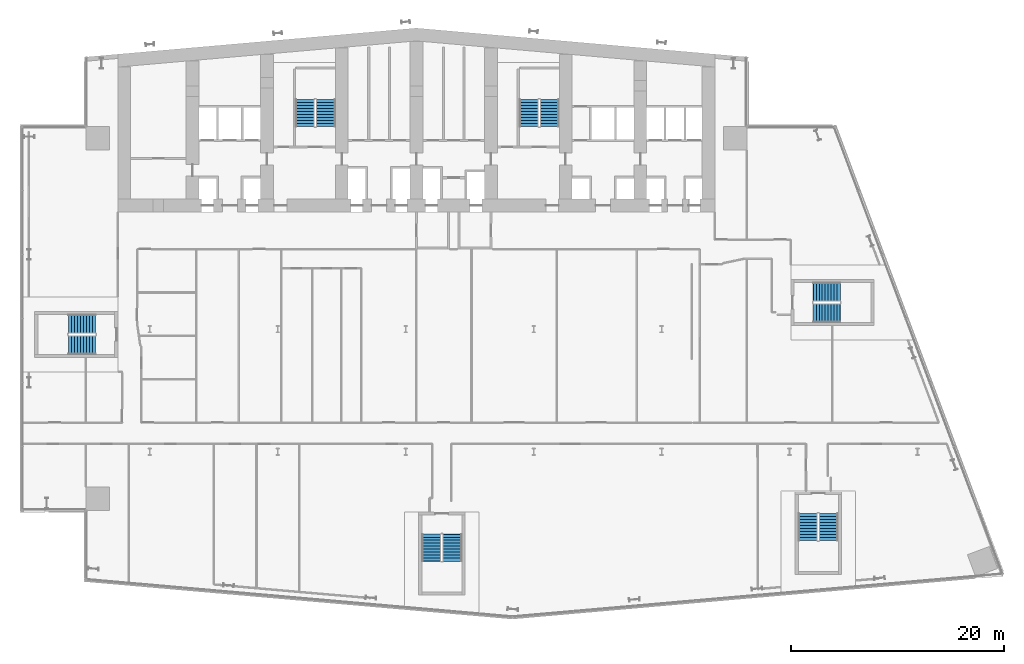
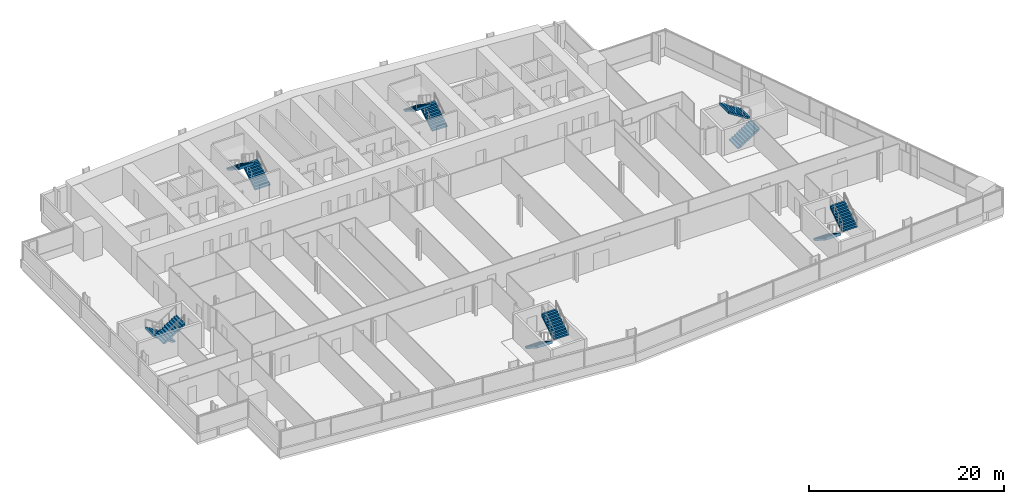
# One storey, part 20 of 24: 12 stair flights, 6 elements without a shape of their own.
"""IFC4 building model written with IfcOpenShell, lengths in metres."""

from ifc_helpers import new_model, si_unit, direction, frame, origin, place, context, subcontext, project, spatial, polyline, outline, extrude, material, type_object, element, aggregate, save


model = new_model("IFC4")

# Units and contexts
model_context = context("Model", 3, precision=1e-05, world=origin(), true_north=direction((0.0, 1.0)))
body_context = subcontext(model_context, "Body", "Model", "MODEL_VIEW")
ifc_project = project(units=[si_unit("LENGTHUNIT", "METRE"), si_unit("AREAUNIT", "SQUARE_METRE"), si_unit("VOLUMEUNIT", "CUBIC_METRE"), si_unit("PLANEANGLEUNIT", "RADIAN"), si_unit("MASSUNIT", "GRAM", prefix="KILO")], contexts=[model_context])

# Site, building, storey
site_placement = place(None, origin())
site = spatial("IfcSite", under=ifc_project, at=site_placement, CompositionType="ELEMENT")
building_placement = place(site_placement, origin())
building = spatial("IfcBuilding", under=site, at=building_placement, Name="Wharfspan Tower", CompositionType="ELEMENT")
storey_placement = place(building_placement, frame((0.0, 0.0, 41.5)))
storey = spatial("IfcBuildingStorey", under=building, at=storey_placement, Name="L06", CompositionType="ELEMENT", Elevation=41.5)

# Stair, stair flights
ifc_material = material(Name="Concrete C40/50", Category="concrete")
stair_type = type_object("IfcStairType", Name="Half-turn stair 20 risers 180 mm", PredefinedType="HALF_TURN_STAIR", material=ifc_material)
stair_1_placement = place(storey_placement, origin())
stair_1 = element("IfcStair", 1, at=stair_1_placement, inside=storey, type_object=stair_type, Name="L06 stair ST1", PredefinedType="HALF_TURN_STAIR")
stair_flight_type = type_object("IfcStairFlightType", Name="Stair flight 20 risers 180 mm", PredefinedType="STRAIGHT", material=ifc_material)
stair_flight_1_placement = place(storey_placement, frame((28.5, 42.0, 0.0), z_axis=(0.0, 0.0, 1.0), x_axis=(0.0, 1.0, 0.0)))
stair_flight_1 = element("IfcStairFlight", 2, at=stair_flight_1_placement, type_object=stair_flight_type, Name="ST1 flight 1", NumberOfRisers=10, NumberOfTreads=9, PredefinedType="STRAIGHT", RiserHeight=0.18, TreadLength=0.28, context=body_context, shape_type="SweptSolid", body=[
    extrude(outline(polyline([(-0.011963, 0.0), (-0.011963, 0.179932), (0.0, 0.179932), (0.280029, 0.179932), (0.280029, 0.360107), (0.560059, 0.360107), (0.560059, 0.540039), (0.840088, 0.540039), (0.840088, 0.719971), (1.120117, 0.719971), (1.120117, 0.899902), (1.399902, 0.899902), (1.399902, 1.080078), (1.679932, 1.080078), (1.679932, 1.26001), (1.959961, 1.26001), (1.959961, 1.439941), (2.23999, 1.439941), (2.23999, 1.620117), (2.52002, 1.620117), (2.531982, 1.800049), (2.531982, 1.441895), (0.2771, 0.0), (-0.011963, 0.0)])), frame((0.0, 0.899902, 0.0), z_axis=(0.0, -1.0, 0.0), x_axis=(1.0, 0.0, 0.0)), (0.0, 0.0, 1.0), 0.899414),
    extrude(outline(polyline([(-0.011963, 0.0), (-0.011963, 0.179932), (0.0, 0.179932), (0.280029, 0.179932), (0.280029, 0.360107), (0.560059, 0.360107), (0.560059, 0.540039), (0.840088, 0.540039), (0.840088, 0.719971), (1.120117, 0.719971), (1.120117, 0.899902), (1.399902, 0.899902), (1.399902, 1.080078), (1.679932, 1.080078), (1.679932, 1.26001), (1.959961, 1.26001), (1.959961, 1.439941), (2.23999, 1.439941), (2.23999, 1.620117), (2.52002, 1.620117), (2.531982, 1.800049), (2.531982, 1.441895), (0.2771, 0.0), (-0.011963, 0.0)])), frame((0.0, -0.000488, 0.0), z_axis=(0.0, -1.0, 0.0), x_axis=(1.0, 0.0, 0.0)), (0.0, 0.0, 1.0), 0.899414),
])
stair_flight_2_placement = place(storey_placement, frame((26.550049, 44.52002, 1.800049), z_axis=(0.0, 0.0, 1.0), x_axis=(0.0, -1.0, 0.0)))
stair_flight_2 = element("IfcStairFlight", 3, at=stair_flight_2_placement, type_object=stair_flight_type, Name="ST1 flight 2", NumberOfRisers=10, NumberOfTreads=9, PredefinedType="STRAIGHT", RiserHeight=0.18, TreadLength=0.28, context=body_context, shape_type="SweptSolid", body=[
    extrude(outline(polyline([(-0.011963, 0.0), (-0.011963, 0.179932), (0.0, 0.179932), (0.280029, 0.179932), (0.280029, 0.360107), (0.560059, 0.360107), (0.560059, 0.540039), (0.840088, 0.540039), (0.840088, 0.719971), (1.120117, 0.719971), (1.120117, 0.899902), (1.399902, 0.899902), (1.399902, 1.080078), (1.679932, 1.080078), (1.679932, 1.26001), (1.959961, 1.26001), (1.959961, 1.439941), (2.23999, 1.439941), (2.23999, 1.620117), (2.52002, 1.620117), (2.531982, 1.800049), (2.531982, 1.441895), (0.2771, 0.0), (-0.011963, 0.0)])), frame((0.0, 0.899902, 0.0), z_axis=(0.0, -1.0, 0.0), x_axis=(1.0, 0.0, 0.0)), (0.0, 0.0, 1.0), 0.899414),
    extrude(outline(polyline([(-0.011963, 0.0), (-0.011963, 0.179932), (0.0, 0.179932), (0.280029, 0.179932), (0.280029, 0.360107), (0.560059, 0.360107), (0.560059, 0.540039), (0.840088, 0.540039), (0.840088, 0.719971), (1.120117, 0.719971), (1.120117, 0.899902), (1.399902, 0.899902), (1.399902, 1.080078), (1.679932, 1.080078), (1.679932, 1.26001), (1.959961, 1.26001), (1.959961, 1.439941), (2.23999, 1.439941), (2.23999, 1.620117), (2.52002, 1.620117), (2.531982, 1.800049), (2.531982, 1.441895), (0.2771, 0.0), (-0.011963, 0.0)])), frame((0.0, -0.000488, 0.0), z_axis=(0.0, -1.0, 0.0), x_axis=(1.0, 0.0, 0.0)), (0.0, 0.0, 1.0), 0.899414),
])
aggregate(stair_1, [stair_flight_1, stair_flight_2])

stair_2_placement = place(storey_placement, origin())
stair_2 = element("IfcStair", 4, at=stair_2_placement, inside=storey, type_object=stair_type, Name="L06 stair ST2", PredefinedType="HALF_TURN_STAIR")
stair_flight_3_placement = place(storey_placement, frame((49.5, 42.0, 0.0), z_axis=(0.0, 0.0, 1.0), x_axis=(0.0, 1.0, 0.0)))
stair_flight_3 = element("IfcStairFlight", 5, at=stair_flight_3_placement, type_object=stair_flight_type, Name="ST2 flight 1", NumberOfRisers=10, NumberOfTreads=9, PredefinedType="STRAIGHT", RiserHeight=0.18, TreadLength=0.28, context=body_context, shape_type="SweptSolid", body=[
    extrude(outline(polyline([(-0.011963, 0.0), (-0.011963, 0.179932), (0.0, 0.179932), (0.280029, 0.179932), (0.280029, 0.360107), (0.560059, 0.360107), (0.560059, 0.540039), (0.840088, 0.540039), (0.840088, 0.719971), (1.120117, 0.719971), (1.120117, 0.899902), (1.399902, 0.899902), (1.399902, 1.080078), (1.679932, 1.080078), (1.679932, 1.26001), (1.959961, 1.26001), (1.959961, 1.439941), (2.23999, 1.439941), (2.23999, 1.620117), (2.52002, 1.620117), (2.531982, 1.800049), (2.531982, 1.441895), (0.2771, 0.0), (-0.011963, 0.0)])), frame((0.0, 0.899902, 0.0), z_axis=(0.0, -1.0, 0.0), x_axis=(1.0, 0.0, 0.0)), (0.0, 0.0, 1.0), 0.899414),
    extrude(outline(polyline([(-0.011963, 0.0), (-0.011963, 0.179932), (0.0, 0.179932), (0.280029, 0.179932), (0.280029, 0.360107), (0.560059, 0.360107), (0.560059, 0.540039), (0.840088, 0.540039), (0.840088, 0.719971), (1.120117, 0.719971), (1.120117, 0.899902), (1.399902, 0.899902), (1.399902, 1.080078), (1.679932, 1.080078), (1.679932, 1.26001), (1.959961, 1.26001), (1.959961, 1.439941), (2.23999, 1.439941), (2.23999, 1.620117), (2.52002, 1.620117), (2.531982, 1.800049), (2.531982, 1.441895), (0.2771, 0.0), (-0.011963, 0.0)])), frame((0.0, -0.000488, 0.0), z_axis=(0.0, -1.0, 0.0), x_axis=(1.0, 0.0, 0.0)), (0.0, 0.0, 1.0), 0.899414),
])
stair_flight_4_placement = place(storey_placement, frame((47.550049, 44.52002, 1.800049), z_axis=(0.0, 0.0, 1.0), x_axis=(0.0, -1.0, 0.0)))
stair_flight_4 = element("IfcStairFlight", 6, at=stair_flight_4_placement, type_object=stair_flight_type, Name="ST2 flight 2", NumberOfRisers=10, NumberOfTreads=9, PredefinedType="STRAIGHT", RiserHeight=0.18, TreadLength=0.28, context=body_context, shape_type="SweptSolid", body=[
    extrude(outline(polyline([(-0.011963, 0.0), (-0.011963, 0.179932), (0.0, 0.179932), (0.280029, 0.179932), (0.280029, 0.360107), (0.560059, 0.360107), (0.560059, 0.540039), (0.840088, 0.540039), (0.840088, 0.719971), (1.120117, 0.719971), (1.120117, 0.899902), (1.399902, 0.899902), (1.399902, 1.080078), (1.679932, 1.080078), (1.679932, 1.26001), (1.959961, 1.26001), (1.959961, 1.439941), (2.23999, 1.439941), (2.23999, 1.620117), (2.52002, 1.620117), (2.531982, 1.800049), (2.531982, 1.441895), (0.2771, 0.0), (-0.011963, 0.0)])), frame((0.0, 0.899902, 0.0), z_axis=(0.0, -1.0, 0.0), x_axis=(1.0, 0.0, 0.0)), (0.0, 0.0, 1.0), 0.899414),
    extrude(outline(polyline([(-0.011963, 0.0), (-0.011963, 0.179932), (0.0, 0.179932), (0.280029, 0.179932), (0.280029, 0.360107), (0.560059, 0.360107), (0.560059, 0.540039), (0.840088, 0.540039), (0.840088, 0.719971), (1.120117, 0.719971), (1.120117, 0.899902), (1.399902, 0.899902), (1.399902, 1.080078), (1.679932, 1.080078), (1.679932, 1.26001), (1.959961, 1.26001), (1.959961, 1.439941), (2.23999, 1.439941), (2.23999, 1.620117), (2.52002, 1.620117), (2.531982, 1.800049), (2.531982, 1.441895), (0.2771, 0.0), (-0.011963, 0.0)])), frame((0.0, -0.000488, 0.0), z_axis=(0.0, -1.0, 0.0), x_axis=(1.0, 0.0, 0.0)), (0.0, 0.0, 1.0), 0.899414),
])
aggregate(stair_2, [stair_flight_3, stair_flight_4])

stair_3_placement = place(storey_placement, origin())
stair_3 = element("IfcStair", 7, at=stair_3_placement, inside=storey, type_object=stair_type, Name="L06 stair ST3", PredefinedType="HALF_TURN_STAIR")
stair_flight_5_placement = place(storey_placement, frame((6.899902, 23.475098, 0.0), z_axis=(0.0, 0.0, 1.0), x_axis=(-1.0, 0.0, 0.0)))
stair_flight_5 = element("IfcStairFlight", 8, at=stair_flight_5_placement, type_object=stair_flight_type, Name="ST3 flight 1", NumberOfRisers=10, NumberOfTreads=9, PredefinedType="STRAIGHT", RiserHeight=0.18, TreadLength=0.28, context=body_context, shape_type="SweptSolid", body=[
    extrude(outline(polyline([(-0.011963, 0.0), (-0.011963, 0.179932), (0.0, 0.179932), (0.280029, 0.179932), (0.280029, 0.360107), (0.560059, 0.360107), (0.560059, 0.540039), (0.840088, 0.540039), (0.840088, 0.719971), (1.120117, 0.719971), (1.120117, 0.899902), (1.399902, 0.899902), (1.399902, 1.080078), (1.679932, 1.080078), (1.679932, 1.26001), (1.959961, 1.26001), (1.959961, 1.439941), (2.23999, 1.439941), (2.23999, 1.620117), (2.52002, 1.620117), (2.531982, 1.800049), (2.531982, 1.441895), (0.2771, 0.0), (-0.011963, 0.0)])), frame((0.0, 0.899902, 0.0), z_axis=(0.0, -1.0, 0.0), x_axis=(1.0, 0.0, 0.0)), (0.0, 0.0, 1.0), 0.899414),
    extrude(outline(polyline([(-0.011963, 0.0), (-0.011963, 0.179932), (0.0, 0.179932), (0.280029, 0.179932), (0.280029, 0.360107), (0.560059, 0.360107), (0.560059, 0.540039), (0.840088, 0.540039), (0.840088, 0.719971), (1.120117, 0.719971), (1.120117, 0.899902), (1.399902, 0.899902), (1.399902, 1.080078), (1.679932, 1.080078), (1.679932, 1.26001), (1.959961, 1.26001), (1.959961, 1.439941), (2.23999, 1.439941), (2.23999, 1.620117), (2.52002, 1.620117), (2.531982, 1.800049), (2.531982, 1.441895), (0.2771, 0.0), (-0.011963, 0.0)])), frame((0.0, -0.000488, 0.0), z_axis=(0.0, -1.0, 0.0), x_axis=(1.0, 0.0, 0.0)), (0.0, 0.0, 1.0), 0.899414),
])
stair_flight_6_placement = place(storey_placement, frame((4.379883, 21.524902, 1.800049), z_axis=(0.0, 0.0, 1.0), x_axis=(1.0, 0.0, 0.0)))
stair_flight_6 = element("IfcStairFlight", 9, at=stair_flight_6_placement, type_object=stair_flight_type, Name="ST3 flight 2", NumberOfRisers=10, NumberOfTreads=9, PredefinedType="STRAIGHT", RiserHeight=0.18, TreadLength=0.28, context=body_context, shape_type="SweptSolid", body=[
    extrude(outline(polyline([(-0.011963, 0.0), (-0.011963, 0.179932), (0.0, 0.179932), (0.280029, 0.179932), (0.280029, 0.360107), (0.560059, 0.360107), (0.560059, 0.540039), (0.840088, 0.540039), (0.840088, 0.719971), (1.120117, 0.719971), (1.120117, 0.899902), (1.399902, 0.899902), (1.399902, 1.080078), (1.679932, 1.080078), (1.679932, 1.26001), (1.959961, 1.26001), (1.959961, 1.439941), (2.23999, 1.439941), (2.23999, 1.620117), (2.52002, 1.620117), (2.531982, 1.800049), (2.531982, 1.441895), (0.2771, 0.0), (-0.011963, 0.0)])), frame((0.0, 0.899902, 0.0), z_axis=(0.0, -1.0, 0.0), x_axis=(1.0, 0.0, 0.0)), (0.0, 0.0, 1.0), 0.899414),
    extrude(outline(polyline([(-0.011963, 0.0), (-0.011963, 0.179932), (0.0, 0.179932), (0.280029, 0.179932), (0.280029, 0.360107), (0.560059, 0.360107), (0.560059, 0.540039), (0.840088, 0.540039), (0.840088, 0.719971), (1.120117, 0.719971), (1.120117, 0.899902), (1.399902, 0.899902), (1.399902, 1.080078), (1.679932, 1.080078), (1.679932, 1.26001), (1.959961, 1.26001), (1.959961, 1.439941), (2.23999, 1.439941), (2.23999, 1.620117), (2.52002, 1.620117), (2.531982, 1.800049), (2.531982, 1.441895), (0.2771, 0.0), (-0.011963, 0.0)])), frame((0.0, -0.000488, 0.0), z_axis=(0.0, -1.0, 0.0), x_axis=(1.0, 0.0, 0.0)), (0.0, 0.0, 1.0), 0.899414),
])
aggregate(stair_3, [stair_flight_5, stair_flight_6])

stair_4_placement = place(storey_placement, origin())
stair_4 = element("IfcStair", 10, at=stair_4_placement, inside=storey, type_object=stair_type, Name="L06 stair ST4", PredefinedType="HALF_TURN_STAIR")
stair_flight_7_placement = place(storey_placement, frame((38.408203, 3.760498, 0.0), z_axis=(0.0, 0.0, 1.0), x_axis=(0.0, -1.0, 0.0)))
stair_flight_7 = element("IfcStairFlight", 11, at=stair_flight_7_placement, type_object=stair_flight_type, Name="ST4 flight 1", NumberOfRisers=10, NumberOfTreads=9, PredefinedType="STRAIGHT", RiserHeight=0.18, TreadLength=0.28, context=body_context, shape_type="SweptSolid", body=[
    extrude(outline(polyline([(-0.011963, 0.0), (-0.011963, 0.179932), (0.0, 0.179932), (0.280029, 0.179932), (0.280029, 0.360107), (0.560059, 0.360107), (0.560059, 0.540039), (0.840088, 0.540039), (0.840088, 0.719971), (1.120117, 0.719971), (1.120117, 0.899902), (1.399902, 0.899902), (1.399902, 1.080078), (1.679932, 1.080078), (1.679932, 1.26001), (1.959961, 1.26001), (1.959961, 1.439941), (2.23999, 1.439941), (2.23999, 1.620117), (2.52002, 1.620117), (2.531982, 1.800049), (2.531982, 1.441895), (0.2771, 0.0), (-0.011963, 0.0)])), frame((0.0, 0.899902, 0.0), z_axis=(0.0, -1.0, 0.0), x_axis=(1.0, 0.0, 0.0)), (0.0, 0.0, 1.0), 0.899414),
    extrude(outline(polyline([(-0.011963, 0.0), (-0.011963, 0.179932), (0.0, 0.179932), (0.280029, 0.179932), (0.280029, 0.360107), (0.560059, 0.360107), (0.560059, 0.540039), (0.840088, 0.540039), (0.840088, 0.719971), (1.120117, 0.719971), (1.120117, 0.899902), (1.399902, 0.899902), (1.399902, 1.080078), (1.679932, 1.080078), (1.679932, 1.26001), (1.959961, 1.26001), (1.959961, 1.439941), (2.23999, 1.439941), (2.23999, 1.620117), (2.52002, 1.620117), (2.531982, 1.800049), (2.531982, 1.441895), (0.2771, 0.0), (-0.011963, 0.0)])), frame((0.0, -0.000488, 0.0), z_axis=(0.0, -1.0, 0.0), x_axis=(1.0, 0.0, 0.0)), (0.0, 0.0, 1.0), 0.899414),
])
stair_flight_8_placement = place(storey_placement, frame((40.358398, 1.240723, 1.800049), z_axis=(0.0, 0.0, 1.0), x_axis=(0.0, 1.0, 0.0)))
stair_flight_8 = element("IfcStairFlight", 12, at=stair_flight_8_placement, type_object=stair_flight_type, Name="ST4 flight 2", NumberOfRisers=10, NumberOfTreads=9, PredefinedType="STRAIGHT", RiserHeight=0.18, TreadLength=0.28, context=body_context, shape_type="SweptSolid", body=[
    extrude(outline(polyline([(-0.011963, 0.0), (-0.011963, 0.179932), (0.0, 0.179932), (0.280029, 0.179932), (0.280029, 0.360107), (0.560059, 0.360107), (0.560059, 0.540039), (0.840088, 0.540039), (0.840088, 0.719971), (1.120117, 0.719971), (1.120117, 0.899902), (1.399902, 0.899902), (1.399902, 1.080078), (1.679932, 1.080078), (1.679932, 1.26001), (1.959961, 1.26001), (1.959961, 1.439941), (2.23999, 1.439941), (2.23999, 1.620117), (2.52002, 1.620117), (2.531982, 1.800049), (2.531982, 1.441895), (0.2771, 0.0), (-0.011963, 0.0)])), frame((0.0, 0.899902, 0.0), z_axis=(0.0, -1.0, 0.0), x_axis=(1.0, 0.0, 0.0)), (0.0, 0.0, 1.0), 0.899414),
    extrude(outline(polyline([(-0.011963, 0.0), (-0.011963, 0.179932), (0.0, 0.179932), (0.280029, 0.179932), (0.280029, 0.360107), (0.560059, 0.360107), (0.560059, 0.540039), (0.840088, 0.540039), (0.840088, 0.719971), (1.120117, 0.719971), (1.120117, 0.899902), (1.399902, 0.899902), (1.399902, 1.080078), (1.679932, 1.080078), (1.679932, 1.26001), (1.959961, 1.26001), (1.959961, 1.439941), (2.23999, 1.439941), (2.23999, 1.620117), (2.52002, 1.620117), (2.531982, 1.800049), (2.531982, 1.441895), (0.2771, 0.0), (-0.011963, 0.0)])), frame((0.0, -0.000488, 0.0), z_axis=(0.0, -1.0, 0.0), x_axis=(1.0, 0.0, 0.0)), (0.0, 0.0, 1.0), 0.899414),
])
aggregate(stair_4, [stair_flight_7, stair_flight_8])

stair_5_placement = place(storey_placement, origin())
stair_5 = element("IfcStair", 13, at=stair_5_placement, inside=storey, type_object=stair_type, Name="L06 stair ST5", PredefinedType="HALF_TURN_STAIR")
stair_flight_9_placement = place(storey_placement, frame((73.717529, 5.691895, 0.0), z_axis=(0.0, 0.0, 1.0), x_axis=(0.0, -1.0, 0.0)))
stair_flight_9 = element("IfcStairFlight", 14, at=stair_flight_9_placement, type_object=stair_flight_type, Name="ST5 flight 1", NumberOfRisers=10, NumberOfTreads=9, PredefinedType="STRAIGHT", RiserHeight=0.18, TreadLength=0.28, context=body_context, shape_type="SweptSolid", body=[
    extrude(outline(polyline([(-0.011963, 0.0), (-0.011963, 0.179932), (0.0, 0.179932), (0.280029, 0.179932), (0.280029, 0.360107), (0.560059, 0.360107), (0.560059, 0.540039), (0.840088, 0.540039), (0.840088, 0.719971), (1.120117, 0.719971), (1.120117, 0.899902), (1.399902, 0.899902), (1.399902, 1.080078), (1.679932, 1.080078), (1.679932, 1.26001), (1.959961, 1.26001), (1.959961, 1.439941), (2.23999, 1.439941), (2.23999, 1.620117), (2.52002, 1.620117), (2.531982, 1.800049), (2.531982, 1.441895), (0.2771, 0.0), (-0.011963, 0.0)])), frame((0.0, 0.899902, 0.0), z_axis=(0.0, -1.0, 0.0), x_axis=(1.0, 0.0, 0.0)), (0.0, 0.0, 1.0), 0.899414),
    extrude(outline(polyline([(-0.011963, 0.0), (-0.011963, 0.179932), (0.0, 0.179932), (0.280029, 0.179932), (0.280029, 0.360107), (0.560059, 0.360107), (0.560059, 0.540039), (0.840088, 0.540039), (0.840088, 0.719971), (1.120117, 0.719971), (1.120117, 0.899902), (1.399902, 0.899902), (1.399902, 1.080078), (1.679932, 1.080078), (1.679932, 1.26001), (1.959961, 1.26001), (1.959961, 1.439941), (2.23999, 1.439941), (2.23999, 1.620117), (2.52002, 1.620117), (2.531982, 1.800049), (2.531982, 1.441895), (0.2771, 0.0), (-0.011963, 0.0)])), frame((0.0, -0.000488, 0.0), z_axis=(0.0, -1.0, 0.0), x_axis=(1.0, 0.0, 0.0)), (0.0, 0.0, 1.0), 0.899414),
])
stair_flight_10_placement = place(storey_placement, frame((75.66748, 3.172119, 1.800049), z_axis=(0.0, 0.0, 1.0), x_axis=(0.0, 1.0, 0.0)))
stair_flight_10 = element("IfcStairFlight", 15, at=stair_flight_10_placement, type_object=stair_flight_type, Name="ST5 flight 2", NumberOfRisers=10, NumberOfTreads=9, PredefinedType="STRAIGHT", RiserHeight=0.18, TreadLength=0.28, context=body_context, shape_type="SweptSolid", body=[
    extrude(outline(polyline([(-0.011963, 0.0), (-0.011963, 0.179932), (0.0, 0.179932), (0.280029, 0.179932), (0.280029, 0.360107), (0.560059, 0.360107), (0.560059, 0.540039), (0.840088, 0.540039), (0.840088, 0.719971), (1.120117, 0.719971), (1.120117, 0.899902), (1.399902, 0.899902), (1.399902, 1.080078), (1.679932, 1.080078), (1.679932, 1.26001), (1.959961, 1.26001), (1.959961, 1.439941), (2.23999, 1.439941), (2.23999, 1.620117), (2.52002, 1.620117), (2.531982, 1.800049), (2.531982, 1.441895), (0.2771, 0.0), (-0.011963, 0.0)])), frame((0.0, 0.899902, 0.0), z_axis=(0.0, -1.0, 0.0), x_axis=(1.0, 0.0, 0.0)), (0.0, 0.0, 1.0), 0.899414),
    extrude(outline(polyline([(-0.011963, 0.0), (-0.011963, 0.179932), (0.0, 0.179932), (0.280029, 0.179932), (0.280029, 0.360107), (0.560059, 0.360107), (0.560059, 0.540039), (0.840088, 0.540039), (0.840088, 0.719971), (1.120117, 0.719971), (1.120117, 0.899902), (1.399902, 0.899902), (1.399902, 1.080078), (1.679932, 1.080078), (1.679932, 1.26001), (1.959961, 1.26001), (1.959961, 1.439941), (2.23999, 1.439941), (2.23999, 1.620117), (2.52002, 1.620117), (2.531982, 1.800049), (2.531982, 1.441895), (0.2771, 0.0), (-0.011963, 0.0)])), frame((0.0, -0.000488, 0.0), z_axis=(0.0, -1.0, 0.0), x_axis=(1.0, 0.0, 0.0)), (0.0, 0.0, 1.0), 0.899414),
])
aggregate(stair_5, [stair_flight_9, stair_flight_10])

stair_6_placement = place(storey_placement, origin())
stair_6 = element("IfcStair", 16, at=stair_6_placement, inside=storey, type_object=stair_type, Name="L06 stair ST6", PredefinedType="HALF_TURN_STAIR")
stair_flight_11_placement = place(storey_placement, frame((74.225098, 24.524902, 0.0), z_axis=(0.0, 0.0, 1.0), x_axis=(1.0, 0.0, 0.0)))
stair_flight_11 = element("IfcStairFlight", 17, at=stair_flight_11_placement, type_object=stair_flight_type, Name="ST6 flight 1", NumberOfRisers=10, NumberOfTreads=9, PredefinedType="STRAIGHT", RiserHeight=0.18, TreadLength=0.28, context=body_context, shape_type="SweptSolid", body=[
    extrude(outline(polyline([(-0.011963, 0.0), (-0.011963, 0.179932), (0.0, 0.179932), (0.280029, 0.179932), (0.280029, 0.360107), (0.560059, 0.360107), (0.560059, 0.540039), (0.840088, 0.540039), (0.840088, 0.719971), (1.120117, 0.719971), (1.120117, 0.899902), (1.399902, 0.899902), (1.399902, 1.080078), (1.679932, 1.080078), (1.679932, 1.26001), (1.959961, 1.26001), (1.959961, 1.439941), (2.23999, 1.439941), (2.23999, 1.620117), (2.52002, 1.620117), (2.531982, 1.800049), (2.531982, 1.441895), (0.2771, 0.0), (-0.011963, 0.0)])), frame((0.0, 0.899902, 0.0), z_axis=(0.0, -1.0, 0.0), x_axis=(1.0, 0.0, 0.0)), (0.0, 0.0, 1.0), 0.899414),
    extrude(outline(polyline([(-0.011963, 0.0), (-0.011963, 0.179932), (0.0, 0.179932), (0.280029, 0.179932), (0.280029, 0.360107), (0.560059, 0.360107), (0.560059, 0.540039), (0.840088, 0.540039), (0.840088, 0.719971), (1.120117, 0.719971), (1.120117, 0.899902), (1.399902, 0.899902), (1.399902, 1.080078), (1.679932, 1.080078), (1.679932, 1.26001), (1.959961, 1.26001), (1.959961, 1.439941), (2.23999, 1.439941), (2.23999, 1.620117), (2.52002, 1.620117), (2.531982, 1.800049), (2.531982, 1.441895), (0.2771, 0.0), (-0.011963, 0.0)])), frame((0.0, -0.000488, 0.0), z_axis=(0.0, -1.0, 0.0), x_axis=(1.0, 0.0, 0.0)), (0.0, 0.0, 1.0), 0.899414),
])
stair_flight_12_placement = place(storey_placement, frame((76.745117, 26.475098, 1.800049), z_axis=(0.0, 0.0, 1.0), x_axis=(-1.0, 0.0, 0.0)))
stair_flight_12 = element("IfcStairFlight", 18, at=stair_flight_12_placement, type_object=stair_flight_type, Name="ST6 flight 2", NumberOfRisers=10, NumberOfTreads=9, PredefinedType="STRAIGHT", RiserHeight=0.18, TreadLength=0.28, context=body_context, shape_type="SweptSolid", body=[
    extrude(outline(polyline([(-0.011963, 0.0), (-0.011963, 0.179932), (0.0, 0.179932), (0.280029, 0.179932), (0.280029, 0.360107), (0.560059, 0.360107), (0.560059, 0.540039), (0.840088, 0.540039), (0.840088, 0.719971), (1.120117, 0.719971), (1.120117, 0.899902), (1.399902, 0.899902), (1.399902, 1.080078), (1.679932, 1.080078), (1.679932, 1.26001), (1.959961, 1.26001), (1.959961, 1.439941), (2.23999, 1.439941), (2.23999, 1.620117), (2.52002, 1.620117), (2.531982, 1.800049), (2.531982, 1.441895), (0.2771, 0.0), (-0.011963, 0.0)])), frame((0.0, 0.899902, 0.0), z_axis=(0.0, -1.0, 0.0), x_axis=(1.0, 0.0, 0.0)), (0.0, 0.0, 1.0), 0.899414),
    extrude(outline(polyline([(-0.011963, 0.0), (-0.011963, 0.179932), (0.0, 0.179932), (0.280029, 0.179932), (0.280029, 0.360107), (0.560059, 0.360107), (0.560059, 0.540039), (0.840088, 0.540039), (0.840088, 0.719971), (1.120117, 0.719971), (1.120117, 0.899902), (1.399902, 0.899902), (1.399902, 1.080078), (1.679932, 1.080078), (1.679932, 1.26001), (1.959961, 1.26001), (1.959961, 1.439941), (2.23999, 1.439941), (2.23999, 1.620117), (2.52002, 1.620117), (2.531982, 1.800049), (2.531982, 1.441895), (0.2771, 0.0), (-0.011963, 0.0)])), frame((0.0, -0.000488, 0.0), z_axis=(0.0, -1.0, 0.0), x_axis=(1.0, 0.0, 0.0)), (0.0, 0.0, 1.0), 0.899414),
])
aggregate(stair_6, [stair_flight_11, stair_flight_12])

save(model, "model.ifc")
